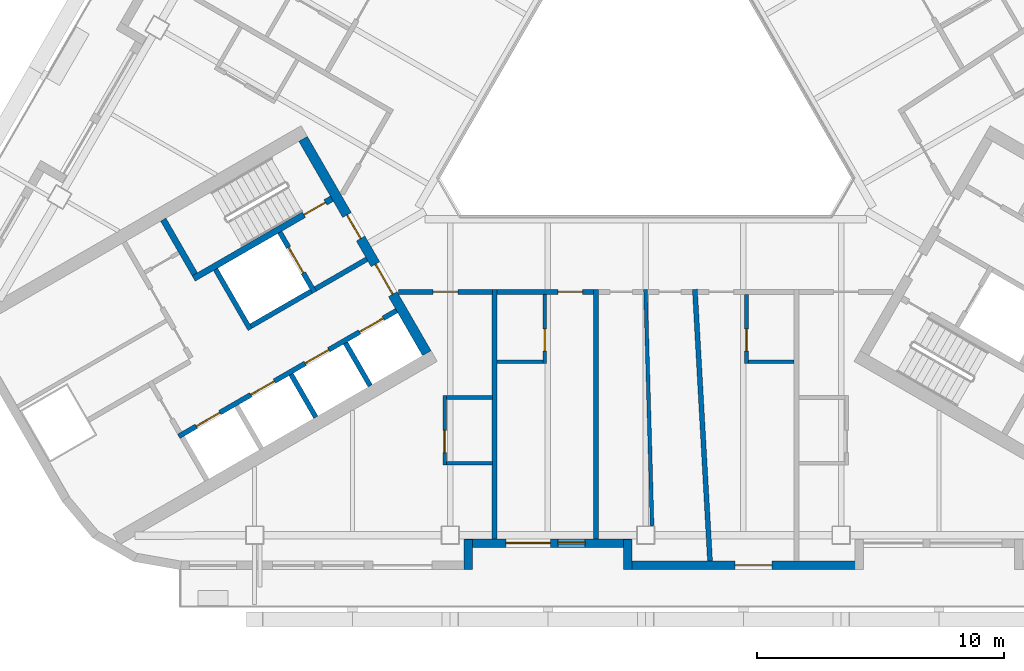
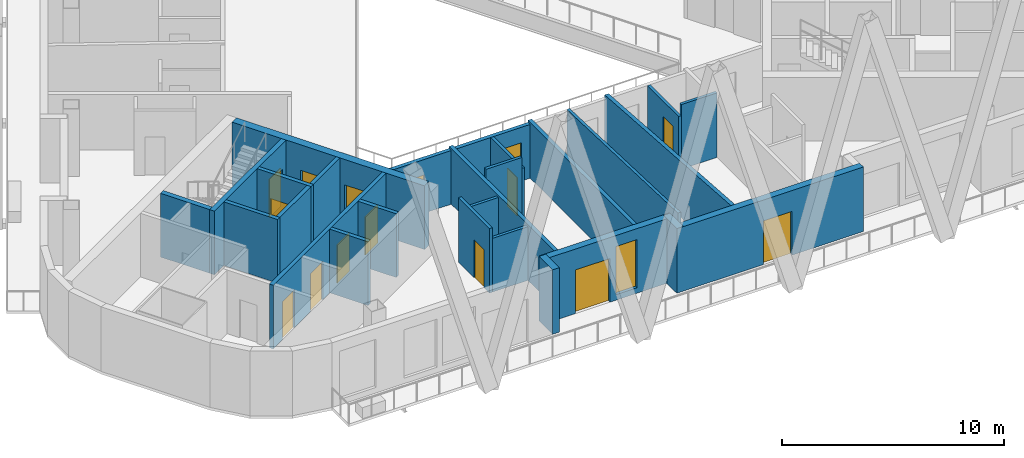
# One storey, part 3 of 14: 27 walls, 15 doors, 1 window, 16 openings.
"""IFC4 building model written with IfcOpenShell, lengths in metres."""

from ifc_helpers import new_model, si_unit, direction, frame, frame_2d, origin, place, context, subcontext, project, spatial, rectangle, extrude, material, layer, layer_set, type_object, element, fill, save


model = new_model("IFC4")

# Units and contexts
model_context = context("Model", 3, precision=1e-05, world=origin(), true_north=direction((0.0, 1.0)))
body_context = subcontext(model_context, "Body", "Model", "MODEL_VIEW")
ifc_project = project(units=[si_unit("LENGTHUNIT", "METRE"), si_unit("AREAUNIT", "SQUARE_METRE"), si_unit("VOLUMEUNIT", "CUBIC_METRE"), si_unit("PLANEANGLEUNIT", "RADIAN"), si_unit("MASSUNIT", "GRAM", prefix="KILO")], contexts=[model_context])

# Site, building, storey
site_placement = place(None, origin())
site = spatial("IfcSite", under=ifc_project, at=site_placement, CompositionType="ELEMENT")
building_placement = place(site_placement, origin())
building = spatial("IfcBuilding", under=site, at=building_placement, Name="Apuvela Tower Hotel", CompositionType="ELEMENT")
storey_placement = place(building_placement, frame((0.0, 0.0, 224.300048828125)))
storey = spatial("IfcBuildingStorey", under=building, at=storey_placement, Name="L55", CompositionType="ELEMENT", Elevation=224.300048828125)

# Wall, openings, doors
ifc_material_1 = material(Name="Concrete C50/60", Category="concrete")
ifc_layer_1 = layer(ifc_material_1, 0.39990234375)
ifc_layer_set_1 = layer_set([ifc_layer_1], Name="COR-WALL-CORE-400")
wall_type_1 = type_object("IfcWallType", Name="COR-WALL-CORE-400", PredefinedType="SHEAR", material=ifc_layer_set_1)
wall_1_placement = place(storey_placement, frame((-13.844970703125, -2.219970703125, 0.0), z_axis=(0.0, 0.0, 1.0), x_axis=(0.500004234368, -0.866022959057, 0.0)))
wall_1 = element("IfcWall", 1, at=wall_1_placement, inside=storey, type_object=wall_type_1, Name="Core wall SW", PredefinedType="SHEAR", context=body_context, shape_type="SweptSolid", body=[
    extrude(rectangle(XDim=10.0, YDim=0.39990234375, at=frame_2d((5.0, 0.0))), origin(), (0.0, 0.0, 1.0), 3.5),
])
opening_1_placement = place(wall_1_placement, frame((3.550048828125, 0.0, 0.0)))
opening_1 = element("IfcOpeningElement", 2, at=opening_1_placement, cuts=wall_1, Name="Opening W-FD", PredefinedType="OPENING", context=body_context, shape_type="SweptSolid", body=[
    extrude(rectangle(XDim=1.10009765625, YDim=2.10009765625, at=frame_2d((0.550048828125, 1.050048828125))), frame((0.0, 0.2099609375, 0.0), z_axis=(0.0, -1.0, 0.0), x_axis=(1.0, 0.0, 0.0)), (0.0, 0.0, 1.0), 0.419921875),
])
opening_2_placement = place(wall_1_placement, frame((5.85009765625, 0.0, 0.0)))
opening_2 = element("IfcOpeningElement", 3, at=opening_2_placement, cuts=wall_1, Name="Opening W-GD", PredefinedType="OPENING", context=body_context, shape_type="SweptSolid", body=[
    extrude(rectangle(XDim=1.39990234375, YDim=2.10009765625, at=frame_2d((0.699951171875, 1.050048828125))), frame((0.0, 0.2099609375, 0.0), z_axis=(0.0, -1.0, 0.0), x_axis=(1.0, 0.0, 0.0)), (0.0, 0.0, 1.0), 0.419921875),
])
ifc_material_2 = material(Name="Steel fire door, powder coated", Category="steel")
door_type_1 = type_object("IfcDoorType", Name="COR-FD-1100", OperationType="NOTDEFINED", PredefinedType="DOOR", material=ifc_material_2)
door_1_placement = place(opening_1_placement, frame((1.10009765625, 0.0, 0.0), z_axis=(0.0, 0.0, 1.0), x_axis=(-1.0, 0.0, 0.0)))
door_1 = element("IfcDoor", 4, at=door_1_placement, inside=storey, type_object=door_type_1, Name="Firefighting lobby door W-FD", OperationType="SINGLE_SWING_LEFT", OverallHeight=2.10009765625, OverallWidth=1.10009765625, PredefinedType="DOOR", context=body_context, shape_type="SweptSolid", body=[
    extrude(rectangle(XDim=1.10009765625, YDim=2.10009765625, at=frame_2d((0.550048828125, 1.050048828125))), frame((0.0, 0.02490234375, 0.0), z_axis=(0.0, -1.0, 0.0), x_axis=(1.0, 0.0, 0.0)), (0.0, 0.0, 1.0), 0.050048828125),
])
fill(opening_1, door_1)
ifc_material_3 = material(Name="Glazed steel fire door", Category="steel")
door_type_2 = type_object("IfcDoorType", Name="COR-GD-1400", OperationType="DOUBLE_DOOR_SINGLE_SWING", PredefinedType="DOOR", material=ifc_material_3)
door_2_placement = place(opening_2_placement, frame((1.39990234375, 0.0, 0.0), z_axis=(0.0, 0.0, 1.0), x_axis=(-1.0, 0.0, 0.0)))
door_2 = element("IfcDoor", 5, at=door_2_placement, inside=storey, type_object=door_type_2, Name="Lift lobby door W-GD", OperationType="DOUBLE_DOOR_SINGLE_SWING", OverallHeight=2.10009765625, OverallWidth=1.39990234375, PredefinedType="DOOR", context=body_context, shape_type="SweptSolid", body=[
    extrude(rectangle(XDim=1.39990234375, YDim=2.10009765625, at=frame_2d((0.699951171875, 1.050048828125))), frame((0.0, 0.02490234375, 0.0), z_axis=(0.0, -1.0, 0.0), x_axis=(1.0, 0.0, 0.0)), (0.0, 0.0, 1.0), 0.050048828125),
])
fill(opening_2, door_2)

# Wall
ifc_layer_2 = layer(ifc_material_1, 0.199951171875)
ifc_layer_set_2 = layer_set([ifc_layer_2], Name="COR-WALL-SHAFT-200")
wall_type_2 = type_object("IfcWallType", Name="COR-WALL-SHAFT-200", PredefinedType="SHEAR", material=ifc_layer_set_2)
wall_2_placement = place(storey_placement, frame((-17.38134765625, -7.49462890625, 0.0), z_axis=(0.0, 0.0, 1.0), x_axis=(0.500011755427, -0.866018616679, 0.0)))
element("IfcWall", 6, at=wall_2_placement, inside=storey, type_object=wall_type_2, Name="Shaft wall SW", PredefinedType="SHEAR", context=body_context, shape_type="SweptSolid", body=[
    extrude(rectangle(XDim=2.80029296875, YDim=0.199951171875, at=frame_2d((1.400146484375, 0.0))), origin(), (0.0, 0.0, 1.0), 3.5),
])

# Wall, opening, door
wall_3_placement = place(storey_placement, frame((-14.783203125, -5.99462890625, 0.0), z_axis=(0.0, 0.0, 1.0), x_axis=(0.49994636267, -0.866056369097, 0.0)))
wall_3 = element("IfcWall", 7, at=wall_3_placement, inside=storey, type_object=wall_type_2, Name="Shaft wall SW", PredefinedType="SHEAR", context=body_context, shape_type="SweptSolid", body=[
    extrude(rectangle(XDim=2.800048828125, YDim=0.199951171875, at=frame_2d((1.39990234375, 0.0))), origin(), (0.0, 0.0, 1.0), 3.5),
])
opening_3_placement = place(wall_3_placement, frame((0.699951171875, 0.0, 0.0)))
opening_3 = element("IfcOpeningElement", 8, at=opening_3_placement, cuts=wall_3, Name="Opening W-LD-FS2", PredefinedType="OPENING", context=body_context, shape_type="SweptSolid", body=[
    extrude(rectangle(XDim=1.199951171875, YDim=2.10009765625, at=frame_2d((0.60009765625, 1.050048828125))), frame((0.0, 0.10986328125, 0.0), z_axis=(0.0, -1.0, 0.0), x_axis=(1.0, 0.0, 0.0)), (0.0, 0.0, 1.0), 0.219970703125),
])
ifc_material_4 = material(Name="Stainless steel lift landing door", Category="steel")
door_type_3 = type_object("IfcDoorType", Name="COR-LD-1200", OperationType="DOUBLE_DOOR_SLIDING", PredefinedType="DOOR", material=ifc_material_4)
door_3_placement = place(opening_3_placement, origin())
door_3 = element("IfcDoor", 9, at=door_3_placement, inside=storey, type_object=door_type_3, Name="Lift landing door W-LD-FS2", OperationType="DOUBLE_DOOR_SLIDING", OverallHeight=2.10009765625, OverallWidth=1.199951171875, PredefinedType="DOOR", context=body_context, shape_type="SweptSolid", body=[
    extrude(rectangle(XDim=1.199951171875, YDim=2.10009765625, at=frame_2d((0.60009765625, 1.050048828125))), frame((0.0, 0.02490234375, 0.0), z_axis=(0.0, -1.0, 0.0), x_axis=(1.0, 0.0, 0.0)), (0.0, 0.0, 1.0), 0.050048828125),
])
fill(opening_3, door_3)

# Walls
wall_4_placement = place(storey_placement, frame((-13.519775390625, -8.383056640625, 0.0), z_axis=(0.0, 0.0, 1.0), x_axis=(-0.866034573852, -0.49998411664, 0.0)))
element("IfcWall", 10, at=wall_4_placement, inside=storey, type_object=wall_type_2, Name="Shaft wall SW", PredefinedType="SHEAR", context=body_context, shape_type="SweptSolid", body=[
    extrude(rectangle(XDim=2.7998046875, YDim=0.199951171875, at=frame_2d((1.39990234375, 0.0))), origin(), (0.0, 0.0, 1.0), 3.5),
])
wall_5_placement = place(storey_placement, frame((-11.26806640625, -7.0830078125, 0.0), z_axis=(0.0, 0.0, 1.0), x_axis=(-0.866050077142, -0.499957262057, 0.0)))
element("IfcWall", 11, at=wall_5_placement, inside=storey, type_object=wall_type_2, Name="Shaft wall SW", PredefinedType="SHEAR", context=body_context, shape_type="SweptSolid", body=[
    extrude(rectangle(XDim=2.400146484375, YDim=0.199951171875, at=frame_2d((1.2001953125, 0.0))), origin(), (0.0, 0.0, 1.0), 3.5),
])

# Wall, openings, doors
wall_6_placement = place(storey_placement, frame((-10.068115234375, -9.16162109375, 0.0), z_axis=(0.0, 0.0, 1.0), x_axis=(-0.866032725843, -0.499987317609, 0.0)))
wall_6 = element("IfcWall", 12, at=wall_6_placement, inside=storey, type_object=wall_type_2, Name="Shaft wall SW", PredefinedType="SHEAR", context=body_context, shape_type="SweptSolid", body=[
    extrude(rectangle(XDim=10.159912109375, YDim=0.199951171875, at=frame_2d((5.080078125, 0.0))), origin(), (0.0, 0.0, 1.0), 3.5),
])
opening_4_placement = place(wall_6_placement, frame((0.6201171875, 0.0, 0.0)))
opening_4 = element("IfcOpeningElement", 13, at=opening_4_placement, cuts=wall_6, Name="Opening W-LD-MR1", PredefinedType="OPENING", context=body_context, shape_type="SweptSolid", body=[
    extrude(rectangle(XDim=1.10009765625, YDim=2.10009765625, at=frame_2d((0.550048828125, 1.050048828125))), frame((0.0, 0.10986328125, 0.0), z_axis=(0.0, -1.0, 0.0), x_axis=(1.0, 0.0, 0.0)), (0.0, 0.0, 1.0), 0.219970703125),
])
opening_5_placement = place(wall_6_placement, frame((3.159912109375, 0.0, 0.0)))
opening_5 = element("IfcOpeningElement", 14, at=opening_5_placement, cuts=wall_6, Name="Opening W-LD-MR2", PredefinedType="OPENING", context=body_context, shape_type="SweptSolid", body=[
    extrude(rectangle(XDim=1.10009765625, YDim=2.10009765625, at=frame_2d((0.550048828125, 1.050048828125))), frame((0.0, 0.10986328125, 0.0), z_axis=(0.0, -1.0, 0.0), x_axis=(1.0, 0.0, 0.0)), (0.0, 0.0, 1.0), 0.219970703125),
])
opening_6_placement = place(wall_6_placement, frame((5.699951171875, 0.0, 0.0)))
opening_6 = element("IfcOpeningElement", 15, at=opening_6_placement, cuts=wall_6, Name="Opening W-LD-MR3", PredefinedType="OPENING", context=body_context, shape_type="SweptSolid", body=[
    extrude(rectangle(XDim=1.10009765625, YDim=2.10009765625, at=frame_2d((0.550048828125, 1.050048828125))), frame((0.0, 0.10986328125, 0.0), z_axis=(0.0, -1.0, 0.0), x_axis=(1.0, 0.0, 0.0)), (0.0, 0.0, 1.0), 0.219970703125),
])
opening_7_placement = place(wall_6_placement, frame((8.239990234375, 0.0, 0.0)))
opening_7 = element("IfcOpeningElement", 16, at=opening_7_placement, cuts=wall_6, Name="Opening W-LD-MR4", PredefinedType="OPENING", context=body_context, shape_type="SweptSolid", body=[
    extrude(rectangle(XDim=1.10009765625, YDim=2.10009765625, at=frame_2d((0.550048828125, 1.050048828125))), frame((0.0, 0.10986328125, 0.0), z_axis=(0.0, -1.0, 0.0), x_axis=(1.0, 0.0, 0.0)), (0.0, 0.0, 1.0), 0.219970703125),
])
door_type_4 = type_object("IfcDoorType", Name="COR-LD-1100", OperationType="DOUBLE_DOOR_SLIDING", PredefinedType="DOOR", material=ifc_material_4)
door_4_placement = place(opening_4_placement, origin())
door_4 = element("IfcDoor", 17, at=door_4_placement, inside=storey, type_object=door_type_4, Name="Lift landing door W-LD-MR1", OperationType="DOUBLE_DOOR_SLIDING", OverallHeight=2.10009765625, OverallWidth=1.10009765625, PredefinedType="DOOR", context=body_context, shape_type="SweptSolid", body=[
    extrude(rectangle(XDim=1.10009765625, YDim=2.10009765625, at=frame_2d((0.550048828125, 1.050048828125))), frame((0.0, 0.02490234375, 0.0), z_axis=(0.0, -1.0, 0.0), x_axis=(1.0, 0.0, 0.0)), (0.0, 0.0, 1.0), 0.050048828125),
])
fill(opening_4, door_4)
door_5_placement = place(opening_5_placement, origin())
door_5 = element("IfcDoor", 18, at=door_5_placement, inside=storey, type_object=door_type_4, Name="Lift landing door W-LD-MR2", OperationType="DOUBLE_DOOR_SLIDING", OverallHeight=2.10009765625, OverallWidth=1.10009765625, PredefinedType="DOOR", context=body_context, shape_type="SweptSolid", body=[
    extrude(rectangle(XDim=1.10009765625, YDim=2.10009765625, at=frame_2d((0.550048828125, 1.050048828125))), frame((0.0, 0.02490234375, 0.0), z_axis=(0.0, -1.0, 0.0), x_axis=(1.0, 0.0, 0.0)), (0.0, 0.0, 1.0), 0.050048828125),
])
fill(opening_5, door_5)
door_6_placement = place(opening_6_placement, origin())
door_6 = element("IfcDoor", 19, at=door_6_placement, inside=storey, type_object=door_type_4, Name="Lift landing door W-LD-MR3", OperationType="DOUBLE_DOOR_SLIDING", OverallHeight=2.10009765625, OverallWidth=1.10009765625, PredefinedType="DOOR", context=body_context, shape_type="SweptSolid", body=[
    extrude(rectangle(XDim=1.10009765625, YDim=2.10009765625, at=frame_2d((0.550048828125, 1.050048828125))), frame((0.0, 0.02490234375, 0.0), z_axis=(0.0, -1.0, 0.0), x_axis=(1.0, 0.0, 0.0)), (0.0, 0.0, 1.0), 0.050048828125),
])
fill(opening_6, door_6)
door_7_placement = place(opening_7_placement, origin())
door_7 = element("IfcDoor", 20, at=door_7_placement, inside=storey, type_object=door_type_4, Name="Lift landing door W-LD-MR4", OperationType="DOUBLE_DOOR_SLIDING", OverallHeight=2.10009765625, OverallWidth=1.10009765625, PredefinedType="DOOR", context=body_context, shape_type="SweptSolid", body=[
    extrude(rectangle(XDim=1.10009765625, YDim=2.10009765625, at=frame_2d((0.550048828125, 1.050048828125))), frame((0.0, 0.02490234375, 0.0), z_axis=(0.0, -1.0, 0.0), x_axis=(1.0, 0.0, 0.0)), (0.0, 0.0, 1.0), 0.050048828125),
])
fill(opening_7, door_7)

# Walls
for number, where, z_axis, x_axis, name in (
    (21, (-12.131103515625, -10.468017578125, 0.0), (0.0, 0.0, 1.0), (0.499972520799, -0.866041268327, 0.0), "Shaft wall SW"),
    (22, (-14.330810546875, -11.738037109375, 0.0), (0.0, 0.0, 1.0), (0.499972520799, -0.866041268327, 0.0), "Shaft wall SW"),
):
    element("IfcWall", number, at=place(storey_placement, frame(where, z_axis=z_axis, x_axis=x_axis)), inside=storey, type_object=wall_type_2, Name=name, PredefinedType="SHEAR", context=body_context, shape_type="SweptSolid", body=[
        extrude(rectangle(XDim=2.0, YDim=0.199951171875, at=frame_2d((1.0, 0.0))), origin(), (0.0, 0.0, 1.0), 3.5),
    ])

# Wall, opening, door
ifc_layer_3 = layer(ifc_material_1, 0.25)
ifc_layer_set_3 = layer_set([ifc_layer_3], Name="COR-WALL-STAIR-250")
wall_type_3 = type_object("IfcWallType", Name="COR-WALL-STAIR-250", PredefinedType="SHEAR", material=ifc_layer_set_3)
wall_7_placement = place(storey_placement, frame((-12.6806640625, -4.636474609375, 0.0), z_axis=(0.0, 0.0, 1.0), x_axis=(-0.866021702275, -0.500006411147, 0.0)))
wall_7 = element("IfcWall", 23, at=wall_7_placement, inside=storey, type_object=wall_type_3, Name="Stair wall SW", PredefinedType="SHEAR", context=body_context, shape_type="SweptSolid", body=[
    extrude(rectangle(XDim=6.4501953125, YDim=0.25, at=frame_2d((3.22509765625, 0.0))), origin(), (0.0, 0.0, 1.0), 3.5),
])
opening_8_placement = place(wall_7_placement, frame((0.300048828125, 0.0, 0.0)))
opening_8 = element("IfcOpeningElement", 24, at=opening_8_placement, cuts=wall_7, Name="Opening W-SD", PredefinedType="OPENING", context=body_context, shape_type="SweptSolid", body=[
    extrude(rectangle(XDim=1.0, YDim=2.10009765625, at=frame_2d((0.5, 1.050048828125))), frame((0.0, 0.135009765625, 0.0), z_axis=(0.0, -1.0, 0.0), x_axis=(1.0, 0.0, 0.0)), (0.0, 0.0, 1.0), 0.27001953125),
])
door_type_5 = type_object("IfcDoorType", Name="COR-SD-1000", OperationType="NOTDEFINED", PredefinedType="DOOR", material=ifc_material_2)
door_8_placement = place(opening_8_placement, frame((1.0, 0.0, 0.0), z_axis=(0.0, 0.0, 1.0), x_axis=(-1.0, 0.0, 0.0)))
door_8 = element("IfcDoor", 25, at=door_8_placement, inside=storey, type_object=door_type_5, Name="Stair door W-SD", OperationType="SINGLE_SWING_LEFT", OverallHeight=2.10009765625, OverallWidth=1.0, PredefinedType="DOOR", context=body_context, shape_type="SweptSolid", body=[
    extrude(rectangle(XDim=1.0, YDim=2.10009765625, at=frame_2d((0.5, 1.050048828125))), frame((0.0, 0.02490234375, 0.0), z_axis=(0.0, -1.0, 0.0), x_axis=(1.0, 0.0, 0.0)), (0.0, 0.0, 1.0), 0.050048828125),
])
fill(opening_8, door_8)

# Walls
wall_8_placement = place(storey_placement, frame((-19.49560546875, -5.482421875, 0.0), z_axis=(0.0, 0.0, 1.0), x_axis=(0.499990435942, -0.866030925526, 0.0)))
element("IfcWall", 26, at=wall_8_placement, inside=storey, type_object=wall_type_3, Name="Stair wall SW", PredefinedType="SHEAR", context=body_context, shape_type="SweptSolid", body=[
    extrude(rectangle(XDim=2.5498046875, YDim=0.25, at=frame_2d((1.27490234375, 0.0))), origin(), (0.0, 0.0, 1.0), 3.5),
])
ifc_material_5 = material(Name="Concrete C40/50, dark pigmented precast panel", Category="concrete")
ifc_layer_4 = layer(ifc_material_5, 0.35009765625)
ifc_layer_set_4 = layer_set([ifc_layer_4], Name="ENV-WALL-350")
wall_type_4 = type_object("IfcWallType", Name="ENV-WALL-350", PredefinedType="SOLIDWALL", material=ifc_layer_set_4)
wall_9_placement = place(storey_placement, frame((-7.175048828125, -19.6298828125, 0.0), z_axis=(0.0, 0.0, 1.0), x_axis=(0.0, 1.0, 0.0)))
element("IfcWall", 27, at=wall_9_placement, inside=storey, type_object=wall_type_4, Name="External wall L55-18", PredefinedType="SOLIDWALL", context=body_context, shape_type="SweptSolid", body=[
    extrude(rectangle(XDim=1.219970703125, YDim=0.35009765625, at=frame_2d((0.60986328125, 0.0))), origin(), (0.0, 0.0, 1.0), 3.550048828125),
])

# Wall, openings, door, window
wall_10_placement = place(storey_placement, frame((-7.320068359375, -18.554931640625, 0.0), z_axis=(0.0, 0.0, 1.0), x_axis=(1.0, 0.0, 0.0)))
wall_10 = element("IfcWall", 28, at=wall_10_placement, inside=storey, type_object=wall_type_4, Name="External wall L55-19", PredefinedType="SOLIDWALL", context=body_context, shape_type="SweptSolid", body=[
    extrude(rectangle(XDim=6.739990234375, YDim=0.35009765625, at=frame_2d((3.3701171875, 0.0))), origin(), (0.0, 0.0, 1.0), 3.550048828125),
])
opening_9_placement = place(wall_10_placement, frame((1.669921875, 0.0, 0.0)))
opening_9 = element("IfcOpeningElement", 29, at=opening_9_placement, cuts=wall_10, Name="Opening BD18", PredefinedType="OPENING", context=body_context, shape_type="SweptSolid", body=[
    extrude(rectangle(XDim=1.800048828125, YDim=2.39990234375, at=frame_2d((0.89990234375, 1.199951171875))), frame((0.0, 0.18505859375, 0.0), z_axis=(0.0, -1.0, 0.0), x_axis=(1.0, 0.0, 0.0)), (0.0, 0.0, 1.0), 0.3701171875),
])
opening_10_placement = place(wall_10_placement, frame((3.77001953125, 0.0, 0.300048828125)))
opening_10 = element("IfcOpeningElement", 30, at=opening_10_placement, cuts=wall_10, Name="Opening WN11", PredefinedType="OPENING", context=body_context, shape_type="SweptSolid", body=[
    extrude(rectangle(XDim=1.10009765625, YDim=2.64990234375, at=frame_2d((0.550048828125, 1.324951171875))), frame((0.0, 0.18505859375, 0.0), z_axis=(0.0, -1.0, 0.0), x_axis=(1.0, 0.0, 0.0)), (0.0, 0.0, 1.0), 0.3701171875),
])
ifc_material_6 = material(Name="Aluminium 6063-T6, dark bronze anodised frame with dark tinted laminated glass", Category="aluminium")
door_type_6 = type_object("IfcDoorType", Name="ENV-DOOR-BALCONY-1800x2400", OperationType="SLIDING_TO_LEFT", PredefinedType="DOOR", material=ifc_material_6)
door_9_placement = place(opening_9_placement, frame((1.800048828125, 0.0, 0.0), z_axis=(0.0, 0.0, 1.0), x_axis=(-1.0, 0.0, 0.0)))
door_9 = element("IfcDoor", 31, at=door_9_placement, inside=storey, type_object=door_type_6, Name="Balcony door BD18", OperationType="SLIDING_TO_LEFT", OverallHeight=2.39990234375, OverallWidth=1.800048828125, PredefinedType="DOOR", context=body_context, shape_type="SweptSolid", body=[
    extrude(rectangle(XDim=1.800048828125, YDim=2.39990234375, at=frame_2d((0.89990234375, 1.199951171875))), frame((0.0, 0.02490234375, 0.0), z_axis=(0.0, -1.0, 0.0), x_axis=(1.0, 0.0, 0.0)), (0.0, 0.0, 1.0), 0.050048828125),
])
fill(opening_9, door_9)
ifc_material_7 = material(Name="Glass, dark tinted laminated insulated glazing unit", Category="glass")
window_type = type_object("IfcWindowType", Name="ENV-WIN-1100x2650", PartitioningType="SINGLE_PANEL", PredefinedType="WINDOW", material=ifc_material_7)
window_placement = place(opening_10_placement, origin())
window = element("IfcWindow", 32, at=window_placement, inside=storey, type_object=window_type, Name="Window WN11", OverallHeight=2.64990234375, OverallWidth=1.10009765625, PartitioningType="SINGLE_PANEL", PredefinedType="WINDOW", context=body_context, shape_type="SweptSolid", body=[
    extrude(rectangle(XDim=1.10009765625, YDim=2.64990234375, at=frame_2d((0.550048828125, 1.324951171875))), frame((0.0, 0.030029296875, 0.0), z_axis=(0.0, -1.0, 0.0), x_axis=(1.0, 0.0, 0.0)), (0.0, 0.0, 1.0), 0.06005859375),
])
fill(opening_10, window)

# Wall
wall_11_placement = place(storey_placement, frame((-0.72509765625, -18.409912109375, 0.0), z_axis=(0.0, 0.0, 1.0), x_axis=(0.0, -1.0, 0.0)))
element("IfcWall", 33, at=wall_11_placement, inside=storey, type_object=wall_type_4, Name="External wall L55-20", PredefinedType="SOLIDWALL", context=body_context, shape_type="SweptSolid", body=[
    extrude(rectangle(XDim=1.219970703125, YDim=0.35009765625, at=frame_2d((0.60986328125, 0.0))), origin(), (0.0, 0.0, 1.0), 3.550048828125),
])

# Wall, opening, door
wall_12_placement = place(storey_placement, frame((-0.89990234375, -19.455078125, 0.0), z_axis=(0.0, 0.0, 1.0), x_axis=(1.0, 0.0, 0.0)))
wall_12 = element("IfcWall", 34, at=wall_12_placement, inside=storey, type_object=wall_type_4, Name="External wall L55-21", PredefinedType="SOLIDWALL", context=body_context, shape_type="SweptSolid", body=[
    extrude(rectangle(XDim=9.699951171875, YDim=0.35009765625, at=frame_2d((4.85009765625, 0.0))), origin(), (0.0, 0.0, 1.0), 3.550048828125),
])
opening_11_placement = place(wall_12_placement, frame((4.5, 0.0, 0.0)))
opening_11 = element("IfcOpeningElement", 35, at=opening_11_placement, cuts=wall_12, Name="Opening BD15", PredefinedType="OPENING", context=body_context, shape_type="SweptSolid", body=[
    extrude(rectangle(XDim=1.5, YDim=2.39990234375, at=frame_2d((0.75, 1.199951171875))), frame((0.0, 0.18505859375, 0.0), z_axis=(0.0, -1.0, 0.0), x_axis=(1.0, 0.0, 0.0)), (0.0, 0.0, 1.0), 0.3701171875),
])
door_type_7 = type_object("IfcDoorType", Name="ENV-DOOR-BALCONY-1500x2400", OperationType="SLIDING_TO_LEFT", PredefinedType="DOOR", material=ifc_material_6)
door_10_placement = place(opening_11_placement, frame((1.5, 0.0, 0.0), z_axis=(0.0, 0.0, 1.0), x_axis=(-1.0, 0.0, 0.0)))
door_10 = element("IfcDoor", 36, at=door_10_placement, inside=storey, type_object=door_type_7, Name="Balcony door BD15", OperationType="SLIDING_TO_LEFT", OverallHeight=2.39990234375, OverallWidth=1.5, PredefinedType="DOOR", context=body_context, shape_type="SweptSolid", body=[
    extrude(rectangle(XDim=1.5, YDim=2.39990234375, at=frame_2d((0.75, 1.199951171875))), frame((0.0, 0.02490234375, 0.0), z_axis=(0.0, -1.0, 0.0), x_axis=(1.0, 0.0, 0.0)), (0.0, 0.0, 1.0), 0.050048828125),
])
fill(opening_11, door_10)

# Walls
ifc_material_8 = material(Name="Gypsum board partition on twin steel stud", Category="steel")
ifc_layer_5 = layer(ifc_material_8, 0.199951171875)
ifc_layer_set_5 = layer_set([ifc_layer_5], Name="GST-PW1")
wall_type_5 = type_object("IfcWallType", Name="GST-PW1", PredefinedType="PARTITIONING", material=ifc_layer_set_5)
for number, where, z_axis, x_axis, name in (
    (37, (-6.10009765625, -18.3798828125, 0.0), (0.0, 0.0, 1.0), (0.0, 1.0, 0.0), "L55 partition 01"),
    (38, (-2.0, -18.3798828125, 0.0), (0.0, 0.0, 1.0), (0.0, 1.0, 0.0), "L55 partition 02"),
):
    element("IfcWall", number, at=place(storey_placement, frame(where, z_axis=z_axis, x_axis=x_axis)), inside=storey, type_object=wall_type_5, Name=name, PredefinedType="PARTITIONING", context=body_context, shape_type="SweptSolid", body=[
        extrude(rectangle(XDim=10.079833984375, YDim=0.199951171875, at=frame_2d((5.0400390625, 0.0))), origin(), (0.0, 0.0, 1.0), 3.06005859375),
    ])
wall_13_placement = place(storey_placement, frame((2.60009765625, -19.280029296875, 0.0), z_axis=(0.0, 0.0, 1.0), x_axis=(-0.055568385591, 0.998454883569, 0.0)))
element("IfcWall", 39, at=wall_13_placement, inside=storey, type_object=wall_type_5, Name="L55 partition 03", PredefinedType="PARTITIONING", context=body_context, shape_type="SweptSolid", body=[
    extrude(rectangle(XDim=10.9970703125, YDim=0.199951171875, at=frame_2d((5.49853515625, 0.0))), origin(), (0.0, 0.0, 1.0), 3.06005859375),
])

# Wall, opening, door
ifc_material_9 = material(Name="Gypsum board corridor wall on twin steel stud, acoustic", Category="steel")
ifc_layer_6 = layer(ifc_material_9, 0.199951171875)
ifc_layer_set_6 = layer_set([ifc_layer_6], Name="GST-PW2")
wall_type_6 = type_object("IfcWallType", Name="GST-PW2", PredefinedType="PARTITIONING", material=ifc_layer_set_6)
wall_14_placement = place(storey_placement, frame((-6.199951171875, -8.39990234375, 0.0), z_axis=(0.0, 0.0, 1.0), x_axis=(-1.0, 0.0, 0.0)))
wall_14 = element("IfcWall", 40, at=wall_14_placement, inside=storey, type_object=wall_type_6, Name="L55 partition 13", PredefinedType="PARTITIONING", context=body_context, shape_type="SweptSolid", body=[
    extrude(rectangle(XDim=3.788330078125, YDim=0.199951171875, at=frame_2d((1.89404296875, 0.0))), origin(), (0.0, 0.0, 1.0), 2.949951171875),
])
opening_12_placement = place(wall_14_placement, frame((1.39404296875, 0.0, 0.0)))
opening_12 = element("IfcOpeningElement", 41, at=opening_12_placement, cuts=wall_14, Name="Opening GD22-02", PredefinedType="OPENING", context=body_context, shape_type="SweptSolid", body=[
    extrude(rectangle(XDim=1.0, YDim=2.10009765625, at=frame_2d((0.5, 1.050048828125))), frame((0.0, 0.10986328125, 0.0), z_axis=(0.0, -1.0, 0.0), x_axis=(1.0, 0.0, 0.0)), (0.0, 0.0, 1.0), 0.219970703125),
])
ifc_material_10 = material(Name="Timber door leaf in steel frame", Category="steel")
door_type_8 = type_object("IfcDoorType", Name="GST-D1", OperationType="NOTDEFINED", PredefinedType="DOOR", material=ifc_material_10)
door_11_placement = place(opening_12_placement, origin())
door_11 = element("IfcDoor", 42, at=door_11_placement, inside=storey, type_object=door_type_8, Name="Door L55-02", OperationType="SINGLE_SWING_LEFT", OverallHeight=2.10009765625, OverallWidth=1.0, PredefinedType="DOOR", context=body_context, shape_type="SweptSolid", body=[
    extrude(rectangle(XDim=1.0, YDim=2.10009765625, at=frame_2d((0.5, 1.050048828125))), frame((0.0, 0.02490234375, 0.0), z_axis=(0.0, -1.0, 0.0), x_axis=(1.0, 0.0, 0.0)), (0.0, 0.0, 1.0), 0.050048828125),
])
fill(opening_12, door_11)

wall_15_placement = place(storey_placement, frame((-2.10009765625, -8.39990234375, 0.0), z_axis=(0.0, 0.0, 1.0), x_axis=(-1.0, 0.0, 0.0)))
wall_15 = element("IfcWall", 43, at=wall_15_placement, inside=storey, type_object=wall_type_6, Name="L55 partition 17", PredefinedType="PARTITIONING", context=body_context, shape_type="SweptSolid", body=[
    extrude(rectangle(XDim=3.89990234375, YDim=0.199951171875, at=frame_2d((1.949951171875, 0.0))), origin(), (0.0, 0.0, 1.0), 2.949951171875),
])
opening_13_placement = place(wall_15_placement, frame((0.449951171875, 0.0, 0.0)))
opening_13 = element("IfcOpeningElement", 44, at=opening_13_placement, cuts=wall_15, Name="Opening GD22-04", PredefinedType="OPENING", context=body_context, shape_type="SweptSolid", body=[
    extrude(rectangle(XDim=1.0, YDim=2.10009765625, at=frame_2d((0.5, 1.050048828125))), frame((0.0, 0.10986328125, 0.0), z_axis=(0.0, -1.0, 0.0), x_axis=(1.0, 0.0, 0.0)), (0.0, 0.0, 1.0), 0.219970703125),
])
door_12_placement = place(opening_13_placement, origin())
door_12 = element("IfcDoor", 45, at=door_12_placement, inside=storey, type_object=door_type_8, Name="Door L55-04", OperationType="SINGLE_SWING_LEFT", OverallHeight=2.10009765625, OverallWidth=1.0, PredefinedType="DOOR", context=body_context, shape_type="SweptSolid", body=[
    extrude(rectangle(XDim=1.0, YDim=2.10009765625, at=frame_2d((0.5, 1.050048828125))), frame((0.0, 0.02490234375, 0.0), z_axis=(0.0, -1.0, 0.0), x_axis=(1.0, 0.0, 0.0)), (0.0, 0.0, 1.0), 0.050048828125),
])
fill(opening_13, door_12)

ifc_material_11 = material(Name="Moisture-resistant gypsum board wet wall on steel stud", Category="steel")
ifc_layer_7 = layer(ifc_material_11, 0.14990234375)
ifc_layer_set_7 = layer_set([ifc_layer_7], Name="GST-PW3")
wall_type_7 = type_object("IfcWallType", Name="GST-PW3", PredefinedType="PARTITIONING", material=ifc_layer_set_7)
wall_16_placement = place(storey_placement, frame((-8.125, -12.60009765625, 0.0), z_axis=(0.0, 0.0, 1.0), x_axis=(0.0, -1.0, 0.0)))
wall_16 = element("IfcWall", 46, at=wall_16_placement, inside=storey, type_object=wall_type_7, Name="L55 partition 14", PredefinedType="PARTITIONING", context=body_context, shape_type="SweptSolid", body=[
    extrude(rectangle(XDim=2.7998046875, YDim=0.14990234375, at=frame_2d((1.39990234375, 0.0))), origin(), (0.0, 0.0, 1.0), 3.550048828125),
])
opening_14_placement = place(wall_16_placement, frame((1.39990234375, 0.0, 0.0)))
opening_14 = element("IfcOpeningElement", 47, at=opening_14_placement, cuts=wall_16, Name="Opening GD22-01", PredefinedType="OPENING", context=body_context, shape_type="SweptSolid", body=[
    extrude(rectangle(XDim=0.89990234375, YDim=2.10009765625, at=frame_2d((0.449951171875, 1.050048828125))), frame((0.0, 0.0849609375, 0.0), z_axis=(0.0, -1.0, 0.0), x_axis=(1.0, 0.0, 0.0)), (0.0, 0.0, 1.0), 0.169921875),
])
door_type_9 = type_object("IfcDoorType", Name="GST-D2", OperationType="NOTDEFINED", PredefinedType="DOOR", material=ifc_material_10)
door_13_placement = place(opening_14_placement, origin())
door_13 = element("IfcDoor", 48, at=door_13_placement, inside=storey, type_object=door_type_9, Name="Door L55-01", OperationType="SINGLE_SWING_RIGHT", OverallHeight=2.10009765625, OverallWidth=0.89990234375, PredefinedType="DOOR", context=body_context, shape_type="SweptSolid", body=[
    extrude(rectangle(XDim=0.89990234375, YDim=2.10009765625, at=frame_2d((0.449951171875, 1.050048828125))), frame((0.0, 0.02490234375, 0.0), z_axis=(0.0, -1.0, 0.0), x_axis=(1.0, 0.0, 0.0)), (0.0, 0.0, 1.0), 0.050048828125),
])
fill(opening_14, door_13)

# Walls
for number, where, z_axis, x_axis, name in (
    (49, (-8.050048828125, -15.324951171875, 0.0), (0.0, 0.0, 1.0), (1.0, 0.0, 0.0), "L55 partition 15"),
    (50, (-8.050048828125, -12.675048828125, 0.0), (0.0, 0.0, 1.0), (1.0, 0.0, 0.0), "L55 partition 16"),
):
    element("IfcWall", number, at=place(storey_placement, frame(where, z_axis=z_axis, x_axis=x_axis)), inside=storey, type_object=wall_type_7, Name=name, PredefinedType="PARTITIONING", context=body_context, shape_type="SweptSolid", body=[
        extrude(rectangle(XDim=1.85009765625, YDim=0.14990234375, at=frame_2d((0.925048828125, 0.0))), origin(), (0.0, 0.0, 1.0), 2.949951171875),
    ])

# Wall, opening, door
wall_17_placement = place(storey_placement, frame((-4.074951171875, -11.300048828125, 0.0), z_axis=(0.0, 0.0, 1.0), x_axis=(0.0, 1.0, 0.0)))
wall_17 = element("IfcWall", 51, at=wall_17_placement, inside=storey, type_object=wall_type_7, Name="L55 partition 18", PredefinedType="PARTITIONING", context=body_context, shape_type="SweptSolid", body=[
    extrude(rectangle(XDim=2.800048828125, YDim=0.14990234375, at=frame_2d((1.39990234375, 0.0))), origin(), (0.0, 0.0, 1.0), 2.949951171875),
])
opening_15_placement = place(wall_17_placement, frame((0.5, 0.0, 0.0)))
opening_15 = element("IfcOpeningElement", 52, at=opening_15_placement, cuts=wall_17, Name="Opening GD22-03", PredefinedType="OPENING", context=body_context, shape_type="SweptSolid", body=[
    extrude(rectangle(XDim=0.89990234375, YDim=2.10009765625, at=frame_2d((0.449951171875, 1.050048828125))), frame((0.0, 0.0849609375, 0.0), z_axis=(0.0, -1.0, 0.0), x_axis=(1.0, 0.0, 0.0)), (0.0, 0.0, 1.0), 0.169921875),
])
door_14_placement = place(opening_15_placement, origin())
door_14 = element("IfcDoor", 53, at=door_14_placement, inside=storey, type_object=door_type_9, Name="Door L55-03", OperationType="SINGLE_SWING_LEFT", OverallHeight=2.10009765625, OverallWidth=0.89990234375, PredefinedType="DOOR", context=body_context, shape_type="SweptSolid", body=[
    extrude(rectangle(XDim=0.89990234375, YDim=2.10009765625, at=frame_2d((0.449951171875, 1.050048828125))), frame((0.0, 0.02490234375, 0.0), z_axis=(0.0, -1.0, 0.0), x_axis=(1.0, 0.0, 0.0)), (0.0, 0.0, 1.0), 0.050048828125),
])
fill(opening_15, door_14)

# Walls
wall_18_placement = place(storey_placement, frame((-6.0, -11.22509765625, 0.0), z_axis=(0.0, 0.0, 1.0), x_axis=(1.0, 0.0, 0.0)))
element("IfcWall", 54, at=wall_18_placement, inside=storey, type_object=wall_type_7, Name="L55 partition 19", PredefinedType="PARTITIONING", context=body_context, shape_type="SweptSolid", body=[
    extrude(rectangle(XDim=1.85009765625, YDim=0.14990234375, at=frame_2d((0.925048828125, 0.0))), origin(), (0.0, 0.0, 1.0), 3.550048828125),
])
wall_19_placement = place(storey_placement, frame((0.26025390625, -17.85498046875, 0.0), z_axis=(0.0, 0.0, 1.0), x_axis=(-0.02781456591, 0.999613100116, 0.0)))
element("IfcWall", 55, at=wall_19_placement, inside=storey, type_object=wall_type_7, Name="L55 partition 20", PredefinedType="PARTITIONING", context=body_context, shape_type="SweptSolid", body=[
    extrude(rectangle(XDim=9.55859375, YDim=0.14990234375, at=frame_2d((4.779296875, 0.0))), origin(), (0.0, 0.0, 1.0), 2.949951171875),
])

# Wall, opening, door
wall_20_placement = place(storey_placement, frame((4.074951171875, -8.5, 0.0), z_axis=(0.0, 0.0, 1.0), x_axis=(0.0, -1.0, 0.0)))
wall_20 = element("IfcWall", 56, at=wall_20_placement, inside=storey, type_object=wall_type_7, Name="L55 partition 24", PredefinedType="PARTITIONING", context=body_context, shape_type="SweptSolid", body=[
    extrude(rectangle(XDim=2.800048828125, YDim=0.14990234375, at=frame_2d((1.39990234375, 0.0))), origin(), (0.0, 0.0, 1.0), 2.949951171875),
])
opening_16_placement = place(wall_20_placement, frame((1.39990234375, 0.0, 0.0)))
opening_16 = element("IfcOpeningElement", 57, at=opening_16_placement, cuts=wall_20, Name="Opening GD22-07", PredefinedType="OPENING", context=body_context, shape_type="SweptSolid", body=[
    extrude(rectangle(XDim=0.89990234375, YDim=2.10009765625, at=frame_2d((0.449951171875, 1.050048828125))), frame((0.0, 0.0849609375, 0.0), z_axis=(0.0, -1.0, 0.0), x_axis=(1.0, 0.0, 0.0)), (0.0, 0.0, 1.0), 0.169921875),
])
door_15_placement = place(opening_16_placement, origin())
door_15 = element("IfcDoor", 58, at=door_15_placement, inside=storey, type_object=door_type_9, Name="Door L55-07", OperationType="SINGLE_SWING_RIGHT", OverallHeight=2.10009765625, OverallWidth=0.89990234375, PredefinedType="DOOR", context=body_context, shape_type="SweptSolid", body=[
    extrude(rectangle(XDim=0.89990234375, YDim=2.10009765625, at=frame_2d((0.449951171875, 1.050048828125))), frame((0.0, 0.02490234375, 0.0), z_axis=(0.0, -1.0, 0.0), x_axis=(1.0, 0.0, 0.0)), (0.0, 0.0, 1.0), 0.050048828125),
])
fill(opening_16, door_15)

# Wall
wall_21_placement = place(storey_placement, frame((4.14990234375, -11.22509765625, 0.0), z_axis=(0.0, 0.0, 1.0), x_axis=(1.0, 0.0, 0.0)))
element("IfcWall", 59, at=wall_21_placement, inside=storey, type_object=wall_type_7, Name="L55 partition 25", PredefinedType="PARTITIONING", context=body_context, shape_type="SweptSolid", body=[
    extrude(rectangle(XDim=1.85009765625, YDim=0.14990234375, at=frame_2d((0.925048828125, 0.0))), origin(), (0.0, 0.0, 1.0), 3.550048828125),
])

save(model, "model.ifc")
